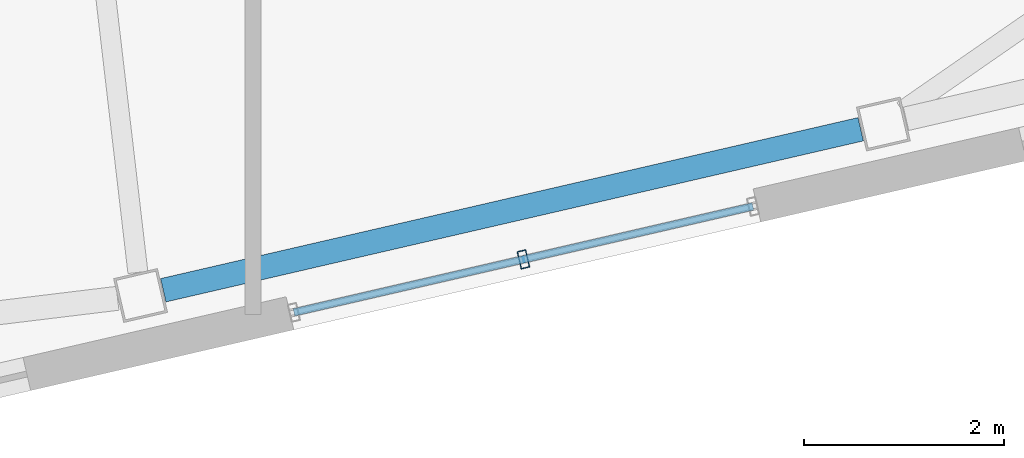
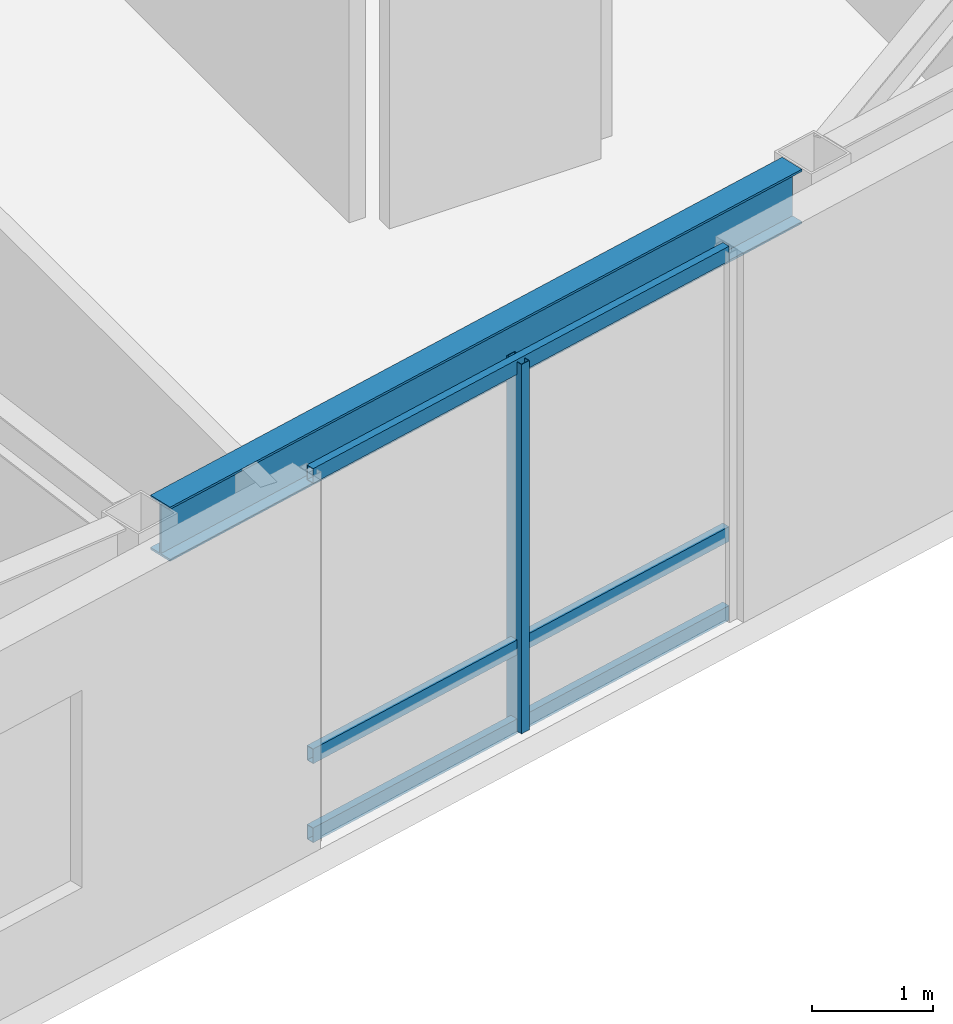
# One storey, part 8 of 23: 4 members, 1 beam, 1 element without a shape of its own.
"""IFC4 building model written with IfcOpenShell, lengths in metres."""

import ifcopenshell
import ifcopenshell.guid

model = None  # the IFC model being written
_history = None  # IfcOwnerHistory: only IFC2X3 demands one
_inside = {}  # id of a spatial element -> (the spatial element, [elements in it])
_under = {}  # id of a project, library or spatial element -> (it, [spatial elements below it])
_declared = {}  # id of a project -> (the project, [libraries it declares])
_typed = {}  # id of a type object -> (the type object, [elements of that type])
_made_of = {}  # id of a material, layer set ... -> (it, [elements and type objects made of it])


def new_model(schema):
    """Start an empty IFC model of exactly this schema.

    Asked for "IFC4X3", IfcOpenShell would pick the latest addendum, in which some entities
    have other attributes; the version numbers below select the first issue.
    IFC2X3 requires an IfcOwnerHistory on every rooted entity: one is made here for all.
    """
    global model, _history
    if schema == "IFC4X3":
        model = ifcopenshell.file(schema_version=(4, 3, 0, 0))
    else:
        model = ifcopenshell.file(schema=schema)
    _inside.clear()
    _under.clear()
    _declared.clear()
    _typed.clear()
    _made_of.clear()
    _history = None
    if model.schema == "IFC2X3":
        org = make("IfcOrganization", Name="unknown")
        user = make(
            "IfcPersonAndOrganization",
            ThePerson=make("IfcPerson", FamilyName="unknown"),
            TheOrganization=org,
        )
        app = make(
            "IfcApplication",
            ApplicationDeveloper=org,
            Version="unknown",
            ApplicationFullName="unknown",
            ApplicationIdentifier="unknown",
        )
        _history = make(
            "IfcOwnerHistory",
            OwningUser=user,
            OwningApplication=app,
            ChangeAction="ADDED",
            CreationDate=0,
        )
    return model


def make(cls, **values):
    """One entity of the class cls with the attributes given. An attribute that is None is left unset."""
    return model.create_entity(
        cls, **{name: value for name, value in values.items() if value is not None}
    )


def rooted(cls, **values):
    """An entity with a GlobalId (a new one), such as an element, a storey or a relation."""
    return make(cls, GlobalId=ifcopenshell.guid.new(), OwnerHistory=_history, **values)


def si_unit(unit_type, name, prefix=None):
    """IfcSIUnit, for example si_unit("LENGTHUNIT", "METRE", prefix="MILLI")."""
    return make("IfcSIUnit", UnitType=unit_type, Prefix=prefix, Name=name)


def assignment(units):
    """IfcUnitAssignment: the units of a project."""
    return None if units is None else make("IfcUnitAssignment", Units=units)


def point(xyz):
    """IfcCartesianPoint."""
    return None if xyz is None else make("IfcCartesianPoint", Coordinates=xyz)


def direction(xyz):
    """IfcDirection."""
    return None if xyz is None else make("IfcDirection", DirectionRatios=xyz)


def frame(location, z_axis=None, x_axis=None):
    """IfcAxis2Placement3D, a coordinate frame: its origin and axes. An axis left out is left unset."""
    return make(
        "IfcAxis2Placement3D",
        Location=point(location),
        Axis=direction(z_axis),
        RefDirection=direction(x_axis),
    )


def frame_2d(location, x_axis=None):
    """IfcAxis2Placement2D, a coordinate frame in the plane: its origin and x axis."""
    return make(
        "IfcAxis2Placement2D", Location=point(location), RefDirection=direction(x_axis)
    )


def origin():
    """The frame at (0, 0, 0) with its axes left unset."""
    return frame((0.0, 0.0, 0.0))


def origin_2d():
    """The frame at (0, 0) in the plane with its x axis left unset."""
    return frame_2d((0.0, 0.0))


def place(relative_to, where):
    """IfcLocalPlacement: puts the frame where relative to a parent placement (None: the world)."""
    return make(
        "IfcLocalPlacement", PlacementRelTo=relative_to, RelativePlacement=where
    )


def context(
    kind, dimensions, precision=None, world=None, true_north=None, identifier=None
):
    """IfcGeometricRepresentationContext, for example the 3D "Model" context."""
    return make(
        "IfcGeometricRepresentationContext",
        ContextIdentifier=identifier,
        ContextType=kind,
        CoordinateSpaceDimension=dimensions,
        Precision=precision,
        WorldCoordinateSystem=world,
        TrueNorth=true_north,
    )


def subcontext(parent, identifier, kind, view, scale=None):
    """IfcGeometricRepresentationSubContext, for example "Body" below "Model"."""
    return make(
        "IfcGeometricRepresentationSubContext",
        ContextIdentifier=identifier,
        ContextType=kind,
        ParentContext=parent,
        TargetScale=scale,
        TargetView=view,
    )


def project(units=None, contexts=None):
    """IfcProject with its units and contexts."""
    return rooted(
        "IfcProject",
        Name="project",
        RepresentationContexts=contexts,
        UnitsInContext=assignment(units),
    )


def spatial(cls, under=None, at=None, **own):
    """A site, building, storey or space (cls), placed at a placement, below another one or the project."""
    s = rooted(cls, ObjectPlacement=at, **own)
    if under is not None:
        _under.setdefault(under.id(), (under, []))[1].append(s)
    return s


def profile(cls, at=None, kind="AREA", **sizes):
    """A parametric profile (cls). Its sizes go by their IFC names, for example OverallWidth=200.0."""
    return make(cls, ProfileType=kind, Position=at, **sizes)


def hollow_rectangle(**sizes):
    """IfcRectangleHollowProfileDef."""
    return profile("IfcRectangleHollowProfileDef", **sizes)


def i_section(**sizes):
    """IfcIShapeProfileDef."""
    return profile("IfcIShapeProfileDef", **sizes)


def extrude(swept, where, along, depth):
    """IfcExtrudedAreaSolid: the profile swept, set in the frame where, extruded along a direction by depth."""
    return make(
        "IfcExtrudedAreaSolid",
        SweptArea=swept,
        Position=where,
        ExtrudedDirection=direction(along),
        Depth=depth,
    )


def shape(context_of_items, identifier, shape_type, items):
    """IfcShapeRepresentation: the items that make up one representation, for example the "Body"."""
    return make(
        "IfcShapeRepresentation",
        ContextOfItems=context_of_items,
        RepresentationIdentifier=identifier,
        RepresentationType=shape_type,
        Items=items,
    )


def material(Name=None, Category=None):
    """IfcMaterial."""
    return make("IfcMaterial", Name=Name, Category=Category)


def layer(
    of_material, thickness, ventilated=None, Name=None, Category=None, Priority=None
):
    """IfcMaterialLayer: one layer of a wall or slab, of a material (None: an air gap)."""
    return make(
        "IfcMaterialLayer",
        Material=of_material,
        LayerThickness=thickness,
        IsVentilated=ventilated,
        Name=Name,
        Category=Category,
        Priority=Priority,
    )


def layer_set(layers, Name=None):
    """IfcMaterialLayerSet."""
    return make("IfcMaterialLayerSet", MaterialLayers=layers, LayerSetName=Name)


def material_profile(
    of_material, cross_section, Name=None, Category=None, Priority=None
):
    """IfcMaterialProfile: a cross section and its material."""
    return make(
        "IfcMaterialProfile",
        Name=Name,
        Material=of_material,
        Profile=cross_section,
        Priority=Priority,
        Category=Category,
    )


def profile_set(profiles, Name=None, composite=None):
    """IfcMaterialProfileSet."""
    return make(
        "IfcMaterialProfileSet",
        Name=Name,
        MaterialProfiles=profiles,
        CompositeProfile=composite,
    )


def made_of(thing, what):
    """Note that an element or type object is made of a material, layer set ...; save() writes the relation."""
    if what is not None:
        _made_of.setdefault(what.id(), (what, []))[1].append(thing)
    return thing


def type_object(cls, material=None, **own):
    """A type object (cls), such as IfcWallType, which elements share."""
    return made_of(rooted(cls, **own), material)


def element(
    cls,
    number,
    at=None,
    inside=None,
    cuts=None,
    type_object=None,
    material=None,
    context=None,
    identifier="Body",
    shape_type=None,
    held_by="IfcProductDefinitionShape",
    body=None,
    shapes=None,
    **own,
):
    """One element of the class cls, such as IfcWall. Its Tag is "e" and its number.

    at: its placement. inside: the storey or other place that contains it. cuts: it is an
    opening in that element (IfcRelVoidsElement). A single representation is given by context,
    identifier, shape_type and body (its items); several are given by shapes. held_by: the class
    of the entity that holds the representations. save() writes the other relations.
    """
    e = rooted(cls, Tag="e%d" % number, ObjectPlacement=at, **own)
    if body is not None:
        shapes = [shape(context, identifier, shape_type, body)]
    if shapes is not None:
        e.Representation = make(held_by, Representations=shapes)
    if inside is not None:
        _inside.setdefault(inside.id(), (inside, []))[1].append(e)
    if cuts is not None:
        rooted(
            "IfcRelVoidsElement", RelatingBuildingElement=cuts, RelatedOpeningElement=e
        )
    if type_object is not None:
        _typed.setdefault(type_object.id(), (type_object, []))[1].append(e)
    return made_of(e, material)


def aggregate(whole, parts):
    """IfcRelAggregates: a whole, such as a stair, and the parts it consists of."""
    return rooted("IfcRelAggregates", RelatingObject=whole, RelatedObjects=parts)


def save(model, path):
    """Write the relations noted so far, then the file.

    IfcRelAggregates (storeys below a building ...), IfcRelContainedInSpatialStructure (elements
    in a storey), IfcRelDefinesByType, IfcRelAssociatesMaterial and IfcRelDeclares: one each for
    every whole, place, type object, material and project.
    """
    for whole, parts in _under.values():
        aggregate(whole, parts)
    for where, things in _inside.values():
        rooted(
            "IfcRelContainedInSpatialStructure",
            RelatedElements=things,
            RelatingStructure=where,
        )
    for kind, things in _typed.values():
        rooted("IfcRelDefinesByType", RelatedObjects=things, RelatingType=kind)
    for what, things in _made_of.values():
        rooted("IfcRelAssociatesMaterial", RelatedObjects=things, RelatingMaterial=what)
    for by, libraries in _declared.values():
        rooted("IfcRelDeclares", RelatingContext=by, RelatedDefinitions=libraries)
    model.write(path)


model = new_model("IFC4")

# Units and contexts
model_context = context("Model", 3, precision=1e-05, world=origin(), true_north=direction((0.0, 1.0)))
body_context = subcontext(model_context, "Body", "Model", "MODEL_VIEW")
ifc_project = project(units=[si_unit("LENGTHUNIT", "METRE"), si_unit("AREAUNIT", "SQUARE_METRE"), si_unit("VOLUMEUNIT", "CUBIC_METRE"), si_unit("PLANEANGLEUNIT", "RADIAN"), si_unit("MASSUNIT", "GRAM", prefix="KILO")], contexts=[model_context])

# Site, building, storey
site_placement = place(None, origin())
site = spatial("IfcSite", under=ifc_project, at=site_placement, CompositionType="ELEMENT")
building_placement = place(site_placement, origin())
building = spatial("IfcBuilding", under=site, at=building_placement, Name="Tavrogorsk Clinical Tower", CompositionType="ELEMENT")
storey_placement = place(building_placement, frame((0.0, 0.0, 297.0)))
storey = spatial("IfcBuildingStorey", under=building, at=storey_placement, Name="L69", CompositionType="ELEMENT", Elevation=297.0)

# Curtain wall, members
ifc_material_1 = material(Name="Anodised aluminium and triple IGU glazing", Category="aluminium")
ifc_layer = layer(ifc_material_1, 0.179931640625)
ifc_layer_set = layer_set([ifc_layer], Name="Anodised aluminium and triple IGU glazing")
curtain_wall_type = type_object("IfcCurtainWallType", Name="CW3_SouthSlot", PredefinedType="NOTDEFINED", material=ifc_layer_set)
curtain_wall_placement = place(storey_placement, origin())
curtain_wall = element("IfcCurtainWall", 1, at=curtain_wall_placement, inside=storey, type_object=curtain_wall_type, Name="L69 Curtain Wall CW-L69-S-SLOT-2", PredefinedType="NOTDEFINED")
ifc_material_2 = material(Name="Anodised aluminium alloy AW-6060", Category="aluminium")
ifc_material_profile_1 = material_profile(ifc_material_2, hollow_rectangle(XDim=0.090087890625, YDim=0.179931640625, WallThickness=0.00634765625, at=origin_2d()), Name="RHS-180x90x6.3")
ifc_profile_set_1 = profile_set([ifc_material_profile_1], Name="Anodised aluminium alloy AW-6060")
member_type_1 = type_object("IfcMemberType", Name="CwMullion_180x90", PredefinedType="MULLION", material=ifc_profile_set_1)
member_1_placement = place(storey_placement, frame((10.106689453125, -22.03515625, 0.0), z_axis=(0.0, 0.0, 1.0), x_axis=(0.974370057377, 0.224951086434, 0.0)))
member_1 = element("IfcMember", 2, at=member_1_placement, type_object=member_type_1, Name="CW-L69-S-SLOT-2 Mullion 2", PredefinedType="MULLION", context=body_context, shape_type="SweptSolid", body=[
    extrude(hollow_rectangle(XDim=0.090087890625, YDim=0.179931640625, WallThickness=0.00634765625, at=origin_2d()), origin(), (0.0, 0.0, 1.0), 3.739990234375),
])
ifc_material_3 = material(Name="Anodised aluminium alloy AW-6060", Category="aluminium")
ifc_material_profile_2 = material_profile(ifc_material_3, hollow_rectangle(XDim=0.074951171875, YDim=0.14990234375, WallThickness=0.0048828125, at=origin_2d()), Name="RHS-150x75x5")
ifc_profile_set_2 = profile_set([ifc_material_profile_2], Name="Anodised aluminium alloy AW-6060")
member_type_2 = type_object("IfcMemberType", Name="CwTransom_150x75", PredefinedType="USERDEFINED", material=ifc_profile_set_2)
member_2_placement = place(storey_placement, frame((7.80810546875, -22.56591796875, 0.050048828125), z_axis=(0.974372877948, 0.22493886885, 0.0), x_axis=(-0.22493886885, 0.974372877948, 0.0)))
member_2 = element("IfcMember", 3, at=member_2_placement, type_object=member_type_2, Name="CW-L69-S-SLOT-2 Transom 1", ObjectType="TRANSOM", PredefinedType="USERDEFINED", context=body_context, shape_type="SweptSolid", body=[
    extrude(hollow_rectangle(XDim=0.074951171875, YDim=0.14990234375, WallThickness=0.0048828125, at=origin_2d()), origin(), (0.0, 0.0, 1.0), 4.718017578125),
])
member_3_placement = place(storey_placement, frame((7.80810546875, -22.56591796875, 0.85009765625), z_axis=(0.974372877948, 0.22493886885, 0.0), x_axis=(-0.22493886885, 0.974372877948, 0.0)))
member_3 = element("IfcMember", 4, at=member_3_placement, type_object=member_type_2, Name="CW-L69-S-SLOT-2 Transom 2", ObjectType="TRANSOM", PredefinedType="USERDEFINED", context=body_context, shape_type="SweptSolid", body=[
    extrude(hollow_rectangle(XDim=0.074951171875, YDim=0.14990234375, WallThickness=0.0048828125, at=origin_2d()), origin(), (0.0, 0.0, 1.0), 4.718017578125),
])
member_4_placement = place(storey_placement, frame((7.80810546875, -22.56591796875, 3.68994140625), z_axis=(0.974372877948, 0.22493886885, 0.0), x_axis=(-0.22493886885, 0.974372877948, 0.0)))
member_4 = element("IfcMember", 5, at=member_4_placement, type_object=member_type_2, Name="CW-L69-S-SLOT-2 Transom 3", ObjectType="TRANSOM", PredefinedType="USERDEFINED", context=body_context, shape_type="SweptSolid", body=[
    extrude(hollow_rectangle(XDim=0.074951171875, YDim=0.14990234375, WallThickness=0.0048828125, at=origin_2d()), origin(), (0.0, 0.0, 1.0), 4.718017578125),
])
aggregate(curtain_wall, [member_1, member_2, member_3, member_4])

# Beam
ifc_material_4 = material(Name="Structural steel S390", Category="steel")
ifc_material_profile_3 = material_profile(ifc_material_4, i_section(OverallWidth=0.239990234375, OverallDepth=0.550048828125, WebThickness=0.013916015625, FlangeThickness=0.02197265625, at=origin_2d()), Name="B-550x240x14x22")
ifc_profile_set_3 = profile_set([ifc_material_profile_3], Name="Structural steel S390")
beam_type = type_object("IfcBeamType", Name="SpandrelBeam_B550", PredefinedType="SPANDREL", material=ifc_profile_set_3)
beam_placement = place(storey_placement, frame((6.499755859375, -22.344482421875, 3.465087890625), z_axis=(0.974369378592, 0.224954026551, 0.0), x_axis=(-0.224954026551, 0.974369378592, 0.0)))
element("IfcBeam", 6, at=beam_placement, inside=storey, type_object=beam_type, Name="L69 Perimeter Spandrel S5-S6", PredefinedType="SPANDREL", context=body_context, shape_type="SweptSolid", body=[
    extrude(i_section(OverallWidth=0.239990234375, OverallDepth=0.550048828125, WebThickness=0.013916015625, FlangeThickness=0.02197265625, at=origin_2d()), origin(), (0.0, 0.0, 1.0), 7.16845703125),
])

save(model, "model.ifc")
